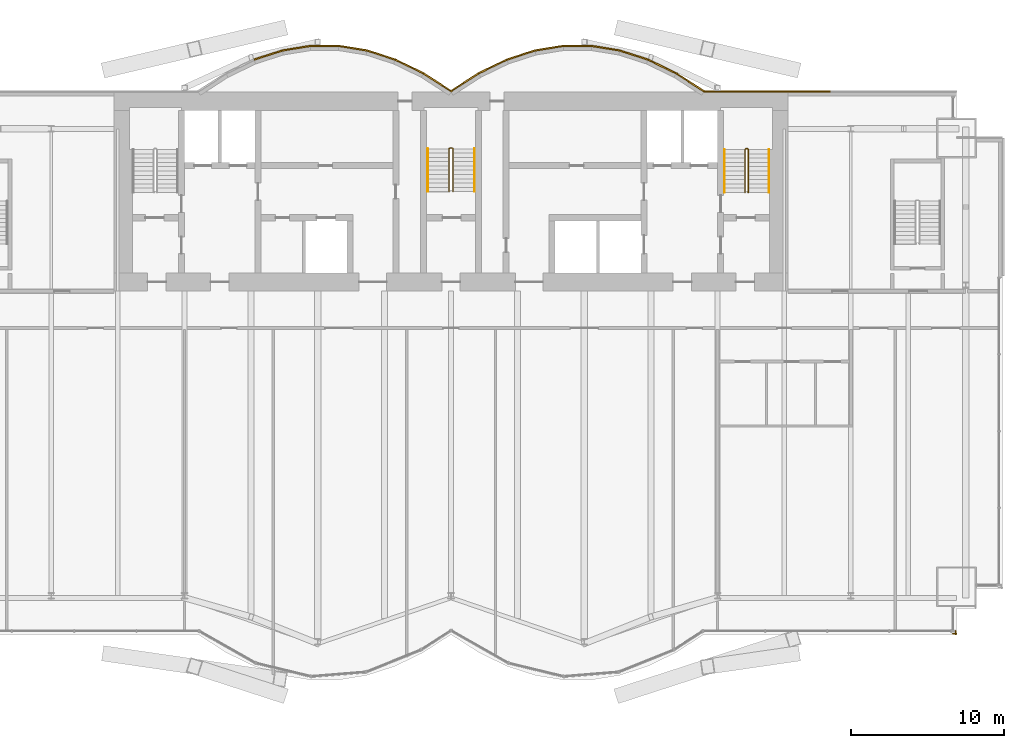
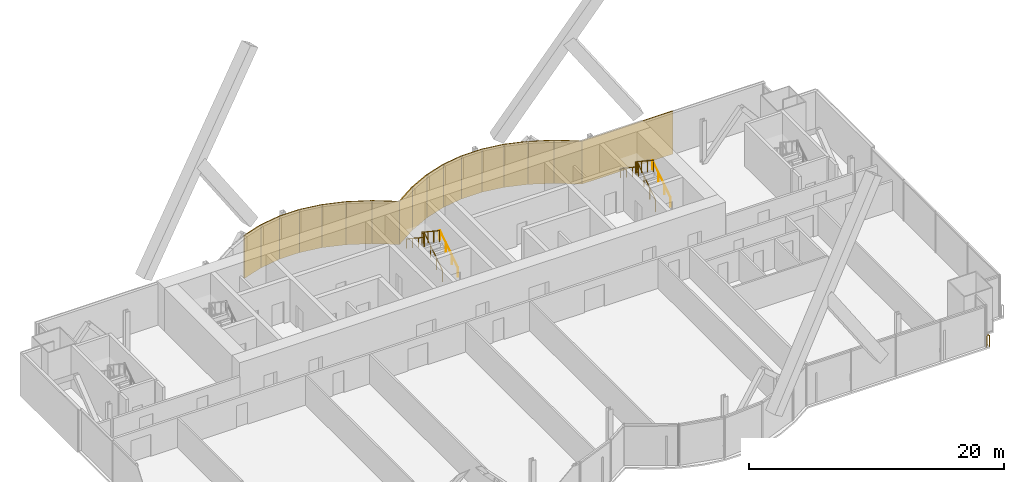
# One storey, part 22 of 23: 17 coverings, 7 railings.
"""IFC4 building model written with IfcOpenShell, lengths in metres."""

from ifc_helpers import new_model, si_unit, direction, frame, origin, origin_2d, place, context, subcontext, project, spatial, rectangle, circle, extrude, material, layer, layer_set, type_object, element, save


model = new_model("IFC4")

# Units and contexts
model_context = context("Model", 3, precision=1e-05, world=origin(), true_north=direction((0.0, 1.0)))
body_context = subcontext(model_context, "Body", "Model", "MODEL_VIEW")
ifc_project = project(units=[si_unit("LENGTHUNIT", "METRE"), si_unit("AREAUNIT", "SQUARE_METRE"), si_unit("VOLUMEUNIT", "CUBIC_METRE"), si_unit("PLANEANGLEUNIT", "RADIAN"), si_unit("MASSUNIT", "GRAM", prefix="KILO")], contexts=[model_context])

# Site, building, storey
site_placement = place(None, origin())
site = spatial("IfcSite", under=ifc_project, at=site_placement, CompositionType="ELEMENT")
building_placement = place(site_placement, origin())
building = spatial("IfcBuilding", under=site, at=building_placement, Name="Bicima Exchange Tower", CompositionType="ELEMENT")
storey_placement = place(building_placement, frame((0.0, 0.0, 152.699951171875)))
storey = spatial("IfcBuildingStorey", under=building, at=storey_placement, Name="L33", CompositionType="ELEMENT", Elevation=152.699951171875)

# Coverings
ifc_material_1 = material(Name="Bronze metal cladding")
ifc_layer_1 = layer(ifc_material_1, 0.004)
ifc_material_2 = material(Name="Ventilated cavity")
ifc_layer_2 = layer(ifc_material_2, 0.06)
ifc_material_3 = material(Name="Galvanised steel rail and mineral wool", Category="steel")
ifc_layer_3 = layer(ifc_material_3, 0.036)
ifc_layer_set = layer_set([ifc_layer_1, ifc_layer_2, ifc_layer_3], Name="Ventilated cavity")
covering_type = type_object("IfcCoveringType", Name="Bronze metal cladding panel 100", PredefinedType="CLADDING", material=ifc_layer_set)
covering_1_placement = place(storey_placement, frame((20.625, 0.050048828125, -0.14990234375), z_axis=(0.0, 0.0, 1.0), x_axis=(-1.0, 0.0, 0.0)))
element("IfcCovering", 1, at=covering_1_placement, inside=storey, type_object=covering_type, Name="Bronze cladding L33 1.2", PredefinedType="CLADDING", context=body_context, shape_type="SweptSolid", body=[
    extrude(rectangle(XDim=8.25, YDim=0.10009765625, at=origin_2d()), origin(), (0.0, 0.0, 1.0), 4.10009765625),
])
covering_2_placement = place(storey_placement, frame((15.610595703125, 0.634521484375, -0.14990234375), z_axis=(0.0, 0.0, 1.0), x_axis=(-0.839790466384, 0.542910648791, 0.0)))
element("IfcCovering", 2, at=covering_2_placement, inside=storey, type_object=covering_type, Name="Bronze cladding L33 2.1", PredefinedType="CLADDING", context=body_context, shape_type="SweptSolid", body=[
    extrude(rectangle(XDim=2.18310546875, YDim=0.10009765625, at=origin_2d()), origin(), (0.0, 0.0, 1.0), 4.10009765625),
])
covering_3_placement = place(storey_placement, frame((13.771728515625, 1.674560546875, -0.14990234375), z_axis=(0.0, 0.0, 1.0), x_axis=(-0.899818346812, 0.436264762204, 0.0)))
element("IfcCovering", 3, at=covering_3_placement, inside=storey, type_object=covering_type, Name="Bronze cladding L33 3.1", PredefinedType="CLADDING", context=body_context, shape_type="SweptSolid", body=[
    extrude(rectangle(XDim=2.03759765625, YDim=0.10009765625, at=origin_2d()), origin(), (0.0, 0.0, 1.0), 4.10009765625),
])
covering_4_placement = place(storey_placement, frame((11.931884765625, 2.41796875, -0.14990234375), z_axis=(0.0, 0.0, 1.0), x_axis=(-0.951524642381, 0.307572519808, 0.0)))
element("IfcCovering", 4, at=covering_4_placement, inside=storey, type_object=covering_type, Name="Bronze cladding L33 4.1", PredefinedType="CLADDING", context=body_context, shape_type="SweptSolid", body=[
    extrude(rectangle(XDim=1.9267578125, YDim=0.10009765625, at=origin_2d()), origin(), (0.0, 0.0, 1.0), 4.10009765625),
])
covering_5_placement = place(storey_placement, frame((10.09130859375, 2.8642578125, -0.14990234375), z_axis=(0.0, 0.0, 1.0), x_axis=(-0.987189786347, 0.159550386184, 0.0)))
element("IfcCovering", 5, at=covering_5_placement, inside=storey, type_object=covering_type, Name="Bronze cladding L33 5.1", PredefinedType="CLADDING", context=body_context, shape_type="SweptSolid", body=[
    extrude(rectangle(XDim=1.857177734375, YDim=0.10009765625, at=origin_2d()), origin(), (0.0, 0.0, 1.0), 4.10009765625),
])
covering_6_placement = place(storey_placement, frame((8.25, 3.012939453125, -0.14990234375), z_axis=(0.0, 0.0, 1.0), x_axis=(-1.0, 0.0, 0.0)))
element("IfcCovering", 6, at=covering_6_placement, inside=storey, type_object=covering_type, Name="Bronze cladding L33 6.1", PredefinedType="CLADDING", context=body_context, shape_type="SweptSolid", body=[
    extrude(rectangle(XDim=1.83349609375, YDim=0.10009765625, at=origin_2d()), origin(), (0.0, 0.0, 1.0), 4.10009765625),
])
covering_7_placement = place(storey_placement, frame((6.40869140625, 2.8642578125, -0.14990234375), z_axis=(0.0, 0.0, 1.0), x_axis=(-0.987189786347, -0.159550386184, 0.0)))
element("IfcCovering", 7, at=covering_7_placement, inside=storey, type_object=covering_type, Name="Bronze cladding L33 7.1", PredefinedType="CLADDING", context=body_context, shape_type="SweptSolid", body=[
    extrude(rectangle(XDim=1.857177734375, YDim=0.10009765625, at=origin_2d()), origin(), (0.0, 0.0, 1.0), 4.10009765625),
])
covering_8_placement = place(storey_placement, frame((4.568115234375, 2.41796875, -0.14990234375), z_axis=(0.0, 0.0, 1.0), x_axis=(-0.951524642381, -0.307572519808, 0.0)))
element("IfcCovering", 8, at=covering_8_placement, inside=storey, type_object=covering_type, Name="Bronze cladding L33 8.1", PredefinedType="CLADDING", context=body_context, shape_type="SweptSolid", body=[
    extrude(rectangle(XDim=1.9267578125, YDim=0.10009765625, at=origin_2d()), origin(), (0.0, 0.0, 1.0), 4.10009765625),
])
covering_9_placement = place(storey_placement, frame((2.728271484375, 1.674560546875, -0.14990234375), z_axis=(0.0, 0.0, 1.0), x_axis=(-0.899818346812, -0.436264762204, 0.0)))
element("IfcCovering", 9, at=covering_9_placement, inside=storey, type_object=covering_type, Name="Bronze cladding L33 9.1", PredefinedType="CLADDING", context=body_context, shape_type="SweptSolid", body=[
    extrude(rectangle(XDim=2.03759765625, YDim=0.10009765625, at=origin_2d()), origin(), (0.0, 0.0, 1.0), 4.10009765625),
])
for number, where, z_axis, x_axis, name in (
    (10, (0.889404296875, 0.634521484375, -0.14990234375), (0.0, 0.0, 1.0), (-0.839790466384, -0.542910648791, 0.0), "Bronze cladding L33 10.1"),
    (11, (-0.889404296875, 0.634521484375, -0.14990234375), (0.0, 0.0, 1.0), (-0.839790466384, 0.542910648791, 0.0), "Bronze cladding L33 11.1"),
):
    element("IfcCovering", number, at=place(storey_placement, frame(where, z_axis=z_axis, x_axis=x_axis)), inside=storey, type_object=covering_type, Name=name, PredefinedType="CLADDING", context=body_context, shape_type="SweptSolid", body=[
        extrude(rectangle(XDim=2.18310546875, YDim=0.10009765625, at=origin_2d()), origin(), (0.0, 0.0, 1.0), 4.10009765625),
    ])
covering_10_placement = place(storey_placement, frame((-2.728271484375, 1.674560546875, -0.14990234375), z_axis=(0.0, 0.0, 1.0), x_axis=(-0.899818346812, 0.436264762204, 0.0)))
element("IfcCovering", 12, at=covering_10_placement, inside=storey, type_object=covering_type, Name="Bronze cladding L33 12.1", PredefinedType="CLADDING", context=body_context, shape_type="SweptSolid", body=[
    extrude(rectangle(XDim=2.03759765625, YDim=0.10009765625, at=origin_2d()), origin(), (0.0, 0.0, 1.0), 4.10009765625),
])
covering_11_placement = place(storey_placement, frame((-4.568115234375, 2.41796875, -0.14990234375), z_axis=(0.0, 0.0, 1.0), x_axis=(-0.951524642381, 0.307572519808, 0.0)))
element("IfcCovering", 13, at=covering_11_placement, inside=storey, type_object=covering_type, Name="Bronze cladding L33 13.1", PredefinedType="CLADDING", context=body_context, shape_type="SweptSolid", body=[
    extrude(rectangle(XDim=1.9267578125, YDim=0.10009765625, at=origin_2d()), origin(), (0.0, 0.0, 1.0), 4.10009765625),
])
covering_12_placement = place(storey_placement, frame((-6.40869140625, 2.8642578125, -0.14990234375), z_axis=(0.0, 0.0, 1.0), x_axis=(-0.987189786347, 0.159550386184, 0.0)))
element("IfcCovering", 14, at=covering_12_placement, inside=storey, type_object=covering_type, Name="Bronze cladding L33 14.1", PredefinedType="CLADDING", context=body_context, shape_type="SweptSolid", body=[
    extrude(rectangle(XDim=1.857177734375, YDim=0.10009765625, at=origin_2d()), origin(), (0.0, 0.0, 1.0), 4.10009765625),
])
covering_13_placement = place(storey_placement, frame((-8.25, 3.012939453125, -0.14990234375), z_axis=(0.0, 0.0, 1.0), x_axis=(-1.0, 0.0, 0.0)))
element("IfcCovering", 15, at=covering_13_placement, inside=storey, type_object=covering_type, Name="Bronze cladding L33 15.1", PredefinedType="CLADDING", context=body_context, shape_type="SweptSolid", body=[
    extrude(rectangle(XDim=1.83349609375, YDim=0.10009765625, at=origin_2d()), origin(), (0.0, 0.0, 1.0), 4.10009765625),
])
covering_14_placement = place(storey_placement, frame((-10.09130859375, 2.8642578125, -0.14990234375), z_axis=(0.0, 0.0, 1.0), x_axis=(-0.987189786347, -0.159550386184, 0.0)))
element("IfcCovering", 16, at=covering_14_placement, inside=storey, type_object=covering_type, Name="Bronze cladding L33 16.1", PredefinedType="CLADDING", context=body_context, shape_type="SweptSolid", body=[
    extrude(rectangle(XDim=1.857177734375, YDim=0.10009765625, at=origin_2d()), origin(), (0.0, 0.0, 1.0), 4.10009765625),
])
covering_15_placement = place(storey_placement, frame((-11.931884765625, 2.41796875, -0.14990234375), z_axis=(0.0, 0.0, 1.0), x_axis=(-0.951524642381, -0.307572519808, 0.0)))
element("IfcCovering", 17, at=covering_15_placement, inside=storey, type_object=covering_type, Name="Bronze cladding L33 17.1", PredefinedType="CLADDING", context=body_context, shape_type="SweptSolid", body=[
    extrude(rectangle(XDim=1.9267578125, YDim=0.10009765625, at=origin_2d()), origin(), (0.0, 0.0, 1.0), 4.10009765625),
])

# Railings
ifc_material_4 = material(Name="Stainless steel and bonded safety glass", Category="steel")
railing_type_1 = type_object("IfcRailingType", Name="Edge guard 1100", PredefinedType="GUARDRAIL", material=ifc_material_4)
railing_1_placement = place(storey_placement, frame((32.949951171875, -35.1689453125, 0.0)))
element("IfcRailing", 18, at=railing_1_placement, inside=storey, type_object=railing_type_1, Name="Edge guard L33 164", PredefinedType="GUARDRAIL", context=body_context, shape_type="SweptSolid", body=[
    extrude(circle(Radius=0.02392578125, at=origin_2d()), frame((0.0, 0.0, 1.076171875), z_axis=(0.0, -1.0, 0.0), x_axis=(1.0, 0.0, 0.0)), (0.0, 0.0, 1.0), 0.2431640625),
    extrude(circle(Radius=0.02392578125, at=origin_2d()), frame((0.0, -0.2431640625, 1.076171875), z_axis=(0.707106781187, 0.707106781187, 0.0), x_axis=(-0.707106781187, 0.707106781187, 0.0)), (0.0, 0.0, 1.0), 0.07080078125),
    extrude(circle(Radius=0.02392578125, at=origin_2d()), frame((0.050048828125, -0.193115234375, 1.076171875), z_axis=(-1.0, 0.0, 0.0), x_axis=(0.0, -1.0, 0.0)), (0.0, 0.0, 1.0), 0.25),
    extrude(circle(Radius=0.02099609375, at=origin_2d()), origin(), (0.0, 0.0, 1.0), 1.052001953125),
    extrude(circle(Radius=0.02099609375, at=origin_2d()), frame((0.0, -0.2431640625, 0.0)), (0.0, 0.0, 1.0), 1.052001953125),
    extrude(circle(Radius=0.02099609375, at=origin_2d()), frame((0.050048828125, -0.193115234375, 0.0)), (0.0, 0.0, 1.0), 1.052001953125),
    extrude(circle(Radius=0.02099609375, at=origin_2d()), frame((-0.199951171875, -0.193115234375, 0.0)), (0.0, 0.0, 1.0), 1.052001953125),
])
ifc_material_5 = material(Name="Stainless steel", Category="steel")
railing_type_2 = type_object("IfcRailingType", Name="Stair guard 1100", PredefinedType="GUARDRAIL", material=ifc_material_5)
railing_2_placement = place(storey_placement, frame((0.125, -6.5, 0.1865234375)))
element("IfcRailing", 19, at=railing_2_placement, inside=storey, type_object=railing_type_2, Name="L33 ST-C stair guard 1", PredefinedType="GUARDRAIL", context=body_context, shape_type="SweptSolid", body=[
    extrude(circle(Radius=0.02392578125, at=origin_2d()), frame((0.0, 0.0, 1.076171875), z_axis=(0.0, 0.832485552168, 0.554046753832), x_axis=(-1.0, 0.0, 0.0)), (0.0, 0.0, 1.0), 3.363525390625),
    extrude(circle(Radius=0.02392578125, at=origin_2d()), frame((0.0, 2.800048828125, 2.939453125), z_axis=(-0.707106781187, 0.707106781187, 0.0), x_axis=(-0.707106781187, -0.707106781187, 0.0)), (0.0, 0.0, 1.0), 0.07080078125),
    extrude(circle(Radius=0.02392578125, at=origin_2d()), frame((-0.050048828125, 2.85009765625, 2.939453125), z_axis=(-1.0, 0.0, 0.0), x_axis=(0.0, -1.0, 0.0)), (0.0, 0.0, 1.0), 0.14990234375),
    extrude(circle(Radius=0.02392578125, at=origin_2d()), frame((-0.199951171875, 2.85009765625, 2.939453125), z_axis=(-0.251157038772, -0.251157038772, 0.934794246747), x_axis=(0.707106781187, -0.707106781187, 0.0)), (0.0, 0.0, 1.0), 0.19921875),
    extrude(circle(Radius=0.02392578125, at=origin_2d()), frame((-0.25, 2.800048828125, 3.1259765625), z_axis=(0.0, -0.832452072856, 0.554097055034), x_axis=(1.0, 0.0, 0.0)), (0.0, 0.0, 1.0), 3.363525390625),
    extrude(circle(Radius=0.02099609375, at=origin_2d()), origin(), (0.0, 0.0, 1.0), 1.052001953125),
    extrude(circle(Radius=0.02099609375, at=origin_2d()), frame((0.0, 0.933349609375, 0.62109375)), (0.0, 0.0, 1.0), 1.052001953125),
    extrude(circle(Radius=0.02099609375, at=origin_2d()), frame((0.0, 1.86669921875, 1.242431640625)), (0.0, 0.0, 1.0), 1.052001953125),
    extrude(circle(Radius=0.02099609375, at=origin_2d()), frame((0.0, 2.800048828125, 1.863525390625)), (0.0, 0.0, 1.0), 1.052001953125),
    extrude(circle(Radius=0.02099609375, at=origin_2d()), frame((-0.050048828125, 2.85009765625, 1.863525390625)), (0.0, 0.0, 1.0), 1.052001953125),
    extrude(circle(Radius=0.02099609375, at=origin_2d()), frame((-0.199951171875, 2.85009765625, 1.863525390625)), (0.0, 0.0, 1.0), 1.052001953125),
    extrude(circle(Radius=0.02099609375, at=origin_2d()), frame((-0.25, 2.800048828125, 2.0498046875)), (0.0, 0.0, 1.0), 1.052001953125),
    extrude(circle(Radius=0.02099609375, at=origin_2d()), frame((-0.25, 1.86669921875, 2.671142578125)), (0.0, 0.0, 1.0), 1.052001953125),
    extrude(circle(Radius=0.02099609375, at=origin_2d()), frame((-0.25, 0.933349609375, 3.292236328125)), (0.0, 0.0, 1.0), 1.052001953125),
    extrude(circle(Radius=0.02099609375, at=origin_2d()), frame((-0.25, 0.0, 3.91357421875)), (0.0, 0.0, 1.0), 1.052001953125),
])
railing_3_placement = place(storey_placement, frame((19.39990234375, -6.550048828125, 0.1865234375)))
element("IfcRailing", 20, at=railing_3_placement, inside=storey, type_object=railing_type_2, Name="L33 ST-E stair guard 1", PredefinedType="GUARDRAIL", context=body_context, shape_type="SweptSolid", body=[
    extrude(circle(Radius=0.02392578125, at=origin_2d()), frame((0.0, 0.0, 1.076171875), z_axis=(0.0, 0.832485552168, 0.554046753832), x_axis=(-1.0, 0.0, 0.0)), (0.0, 0.0, 1.0), 3.363525390625),
    extrude(circle(Radius=0.02392578125, at=origin_2d()), frame((0.0, 2.800048828125, 2.939453125), z_axis=(-0.705375805398, 0.708833529934, 0.0), x_axis=(-0.708833529934, -0.705375805398, 0.0)), (0.0, 0.0, 1.0), 0.070556640625),
    extrude(circle(Radius=0.02392578125, at=origin_2d()), frame((-0.0498046875, 2.85009765625, 2.939453125), z_axis=(-1.0, 0.0, 0.0), x_axis=(0.0, -1.0, 0.0)), (0.0, 0.0, 1.0), 0.10009765625),
    extrude(circle(Radius=0.02392578125, at=origin_2d()), frame((-0.14990234375, 2.85009765625, 2.939453125), z_axis=(-0.251157038772, -0.251157038772, 0.934794246747), x_axis=(0.707106781187, -0.707106781187, 0.0)), (0.0, 0.0, 1.0), 0.19921875),
    extrude(circle(Radius=0.02392578125, at=origin_2d()), frame((-0.199951171875, 2.800048828125, 3.1259765625), z_axis=(0.0, -0.832452072856, 0.554097055034), x_axis=(1.0, 0.0, 0.0)), (0.0, 0.0, 1.0), 3.363525390625),
    extrude(circle(Radius=0.02099609375, at=origin_2d()), origin(), (0.0, 0.0, 1.0), 1.052001953125),
    extrude(circle(Radius=0.02099609375, at=origin_2d()), frame((0.0, 0.933349609375, 0.62109375)), (0.0, 0.0, 1.0), 1.052001953125),
    extrude(circle(Radius=0.02099609375, at=origin_2d()), frame((0.0, 1.86669921875, 1.242431640625)), (0.0, 0.0, 1.0), 1.052001953125),
    extrude(circle(Radius=0.02099609375, at=origin_2d()), frame((0.0, 2.800048828125, 1.863525390625)), (0.0, 0.0, 1.0), 1.052001953125),
    extrude(circle(Radius=0.02099609375, at=origin_2d()), frame((-0.0498046875, 2.85009765625, 1.863525390625)), (0.0, 0.0, 1.0), 1.052001953125),
    extrude(circle(Radius=0.02099609375, at=origin_2d()), frame((-0.14990234375, 2.85009765625, 1.863525390625)), (0.0, 0.0, 1.0), 1.052001953125),
    extrude(circle(Radius=0.02099609375, at=origin_2d()), frame((-0.199951171875, 2.800048828125, 2.0498046875)), (0.0, 0.0, 1.0), 1.052001953125),
    extrude(circle(Radius=0.02099609375, at=origin_2d()), frame((-0.199951171875, 1.86669921875, 2.671142578125)), (0.0, 0.0, 1.0), 1.052001953125),
    extrude(circle(Radius=0.02099609375, at=origin_2d()), frame((-0.199951171875, 0.933349609375, 3.292236328125)), (0.0, 0.0, 1.0), 1.052001953125),
    extrude(circle(Radius=0.02099609375, at=origin_2d()), frame((-0.199951171875, 0.0, 3.91357421875)), (0.0, 0.0, 1.0), 1.052001953125),
])
railing_type_3 = type_object("IfcRailingType", Name="Stair handrail 900", PredefinedType="HANDRAIL", material=ifc_material_5)
railing_4_placement = place(storey_placement, frame((1.52490234375, -6.5, 0.1865234375)))
element("IfcRailing", 21, at=railing_4_placement, inside=storey, type_object=railing_type_3, Name="L33 ST-C stair handrail 1", PredefinedType="HANDRAIL", context=body_context, shape_type="SweptSolid", body=[
    extrude(circle(Radius=0.02392578125, at=origin_2d()), frame((0.0, 0.0, 0.8759765625), z_axis=(0.0, 0.832485552168, 0.554046753832), x_axis=(-1.0, 0.0, 0.0)), (0.0, 0.0, 1.0), 3.363525390625),
    extrude(circle(Radius=0.02099609375, at=origin_2d()), origin(), (0.0, 0.0, 1.0), 0.851806640625),
    extrude(circle(Radius=0.02099609375, at=origin_2d()), frame((0.0, 0.933349609375, 0.62109375)), (0.0, 0.0, 1.0), 0.851806640625),
    extrude(circle(Radius=0.02099609375, at=origin_2d()), frame((0.0, 1.86669921875, 1.242431640625)), (0.0, 0.0, 1.0), 0.851806640625),
    extrude(circle(Radius=0.02099609375, at=origin_2d()), frame((0.0, 2.800048828125, 1.863525390625)), (0.0, 0.0, 1.0), 0.851806640625),
])
railing_5_placement = place(storey_placement, frame((-1.52490234375, -3.699951171875, 2.27685546875)))
element("IfcRailing", 22, at=railing_5_placement, inside=storey, type_object=railing_type_3, Name="L33 ST-C stair handrail 2", PredefinedType="HANDRAIL", context=body_context, shape_type="SweptSolid", body=[
    extrude(circle(Radius=0.02392578125, at=origin_2d()), frame((0.0, 0.0, 0.8759765625), z_axis=(0.0, -0.832485552168, 0.554046753832), x_axis=(1.0, 0.0, 0.0)), (0.0, 0.0, 1.0), 3.363525390625),
    extrude(circle(Radius=0.02099609375, at=origin_2d()), origin(), (0.0, 0.0, 1.0), 0.851806640625),
    extrude(circle(Radius=0.02099609375, at=origin_2d()), frame((0.0, -0.933349609375, 0.62109375)), (0.0, 0.0, 1.0), 0.851806640625),
    extrude(circle(Radius=0.02099609375, at=origin_2d()), frame((0.0, -1.86669921875, 1.242431640625)), (0.0, 0.0, 1.0), 0.851806640625),
    extrude(circle(Radius=0.02099609375, at=origin_2d()), frame((0.0, -2.800048828125, 1.863525390625)), (0.0, 0.0, 1.0), 0.851806640625),
])
railing_6_placement = place(storey_placement, frame((20.75, -6.550048828125, 0.1865234375)))
element("IfcRailing", 23, at=railing_6_placement, inside=storey, type_object=railing_type_3, Name="L33 ST-E stair handrail 1", PredefinedType="HANDRAIL", context=body_context, shape_type="SweptSolid", body=[
    extrude(circle(Radius=0.02392578125, at=origin_2d()), frame((0.0, 0.0, 0.8759765625), z_axis=(0.0, 0.832485552168, 0.554046753832), x_axis=(-1.0, 0.0, 0.0)), (0.0, 0.0, 1.0), 3.363525390625),
    extrude(circle(Radius=0.02099609375, at=origin_2d()), origin(), (0.0, 0.0, 1.0), 0.851806640625),
    extrude(circle(Radius=0.02099609375, at=origin_2d()), frame((0.0, 0.933349609375, 0.62109375)), (0.0, 0.0, 1.0), 0.851806640625),
    extrude(circle(Radius=0.02099609375, at=origin_2d()), frame((0.0, 1.86669921875, 1.242431640625)), (0.0, 0.0, 1.0), 0.851806640625),
    extrude(circle(Radius=0.02099609375, at=origin_2d()), frame((0.0, 2.800048828125, 1.863525390625)), (0.0, 0.0, 1.0), 0.851806640625),
])
railing_7_placement = place(storey_placement, frame((17.85009765625, -3.75, 2.27685546875)))
element("IfcRailing", 24, at=railing_7_placement, inside=storey, type_object=railing_type_3, Name="L33 ST-E stair handrail 2", PredefinedType="HANDRAIL", context=body_context, shape_type="SweptSolid", body=[
    extrude(circle(Radius=0.02392578125, at=origin_2d()), frame((0.0, 0.0, 0.8759765625), z_axis=(0.0, -0.832485552168, 0.554046753832), x_axis=(1.0, 0.0, 0.0)), (0.0, 0.0, 1.0), 3.363525390625),
    extrude(circle(Radius=0.02099609375, at=origin_2d()), origin(), (0.0, 0.0, 1.0), 0.851806640625),
    extrude(circle(Radius=0.02099609375, at=origin_2d()), frame((0.0, -0.933349609375, 0.62109375)), (0.0, 0.0, 1.0), 0.851806640625),
    extrude(circle(Radius=0.02099609375, at=origin_2d()), frame((0.0, -1.86669921875, 1.242431640625)), (0.0, 0.0, 1.0), 0.851806640625),
    extrude(circle(Radius=0.02099609375, at=origin_2d()), frame((0.0, -2.800048828125, 1.863525390625)), (0.0, 0.0, 1.0), 0.851806640625),
])

save(model, "model.ifc")
